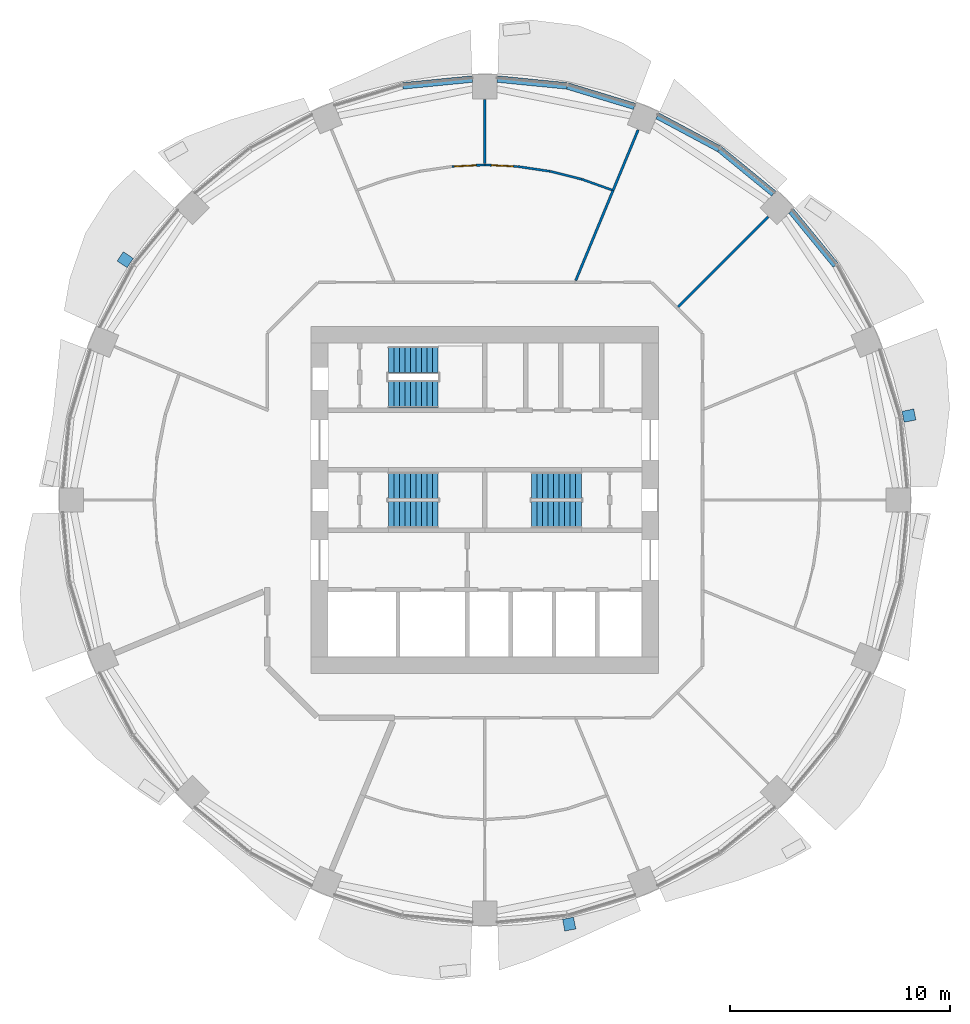
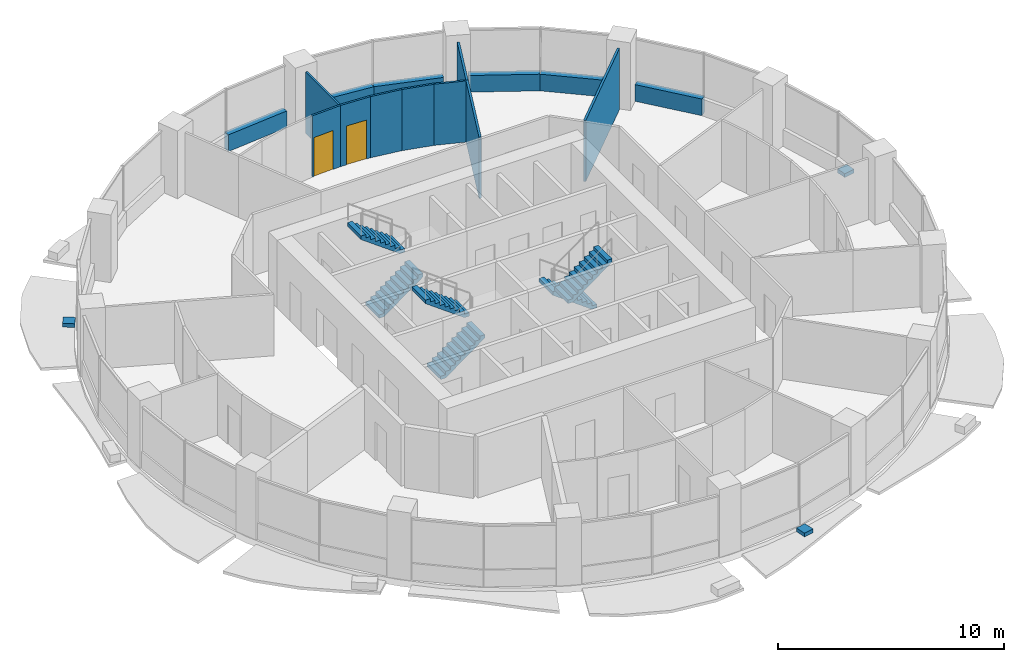
# One storey, part 10 of 14: 15 walls, 6 stair flights, 3 discrete accessories, 2 doors, 2 openings, 3 elements without a shape of their own.
"""IFC4 building model written with IfcOpenShell, lengths in metres."""

from ifc_helpers import new_model, si_unit, direction, frame, frame_2d, origin, place, context, subcontext, project, spatial, polyline, rectangle, outline, extrude, material, layer, layer_set, type_object, element, fill, aggregate, save


model = new_model("IFC4")

# Units and contexts
model_context = context("Model", 3, precision=1e-05, world=origin(), true_north=direction((0.0, 1.0)))
body_context = subcontext(model_context, "Body", "Model", "MODEL_VIEW")
ifc_project = project(units=[si_unit("LENGTHUNIT", "METRE"), si_unit("AREAUNIT", "SQUARE_METRE"), si_unit("VOLUMEUNIT", "CUBIC_METRE"), si_unit("PLANEANGLEUNIT", "RADIAN"), si_unit("MASSUNIT", "GRAM", prefix="KILO")], contexts=[model_context])

# Site, building, storey
site_placement = place(None, origin())
site = spatial("IfcSite", under=ifc_project, at=site_placement, CompositionType="ELEMENT")
building_placement = place(site_placement, origin())
building = spatial("IfcBuilding", under=site, at=building_placement, Name="Polderwave Tower", CompositionType="ELEMENT")
storey_placement = place(building_placement, frame((0.0, 0.0, 91.0)))
storey = spatial("IfcBuildingStorey", under=building, at=storey_placement, Name="L23", CompositionType="ELEMENT", Elevation=91.0)

# Walls
ifc_material_1 = material(Name="Concrete C50/60 (board-marked)", Category="concrete")
ifc_layer_1 = layer(ifc_material_1, 0.300048828125)
ifc_layer_set_1 = layer_set([ifc_layer_1], Name="Concrete spandrel upstand C50/60")
wall_type_1 = type_object("IfcWallType", Name="Concrete spandrel upstand C50/60", PredefinedType="SOLIDWALL", material=ifc_layer_set_1)
for number, where, z_axis, x_axis, name in (
    (1, (15.91259765625, 10.650634765625, 0.0), (0.0, 0.0, 1.0), (-0.634238779555, 0.773137226182, 0.0), "Spandrel L23 2b"),
    (2, (13.103515625, 13.900390625, 0.0), (0.0, 0.0, 1.0), (-0.773137226182, 0.634238779555, 0.0), "Spandrel L23 3a"),
):
    element("IfcWall", number, at=place(storey_placement, frame(where, z_axis=z_axis, x_axis=x_axis)), inside=storey, type_object=wall_type_1, Name=name, PredefinedType="SOLIDWALL", context=body_context, shape_type="SweptSolid", body=[
        extrude(rectangle(XDim=3.172607421875, YDim=0.300048828125, at=frame_2d((1.58642578125, 0.0))), origin(), (0.0, 0.0, 1.0), 0.89990234375),
    ])
wall_1_placement = place(storey_placement, frame((10.625732421875, 15.92919921875, 0.0), z_axis=(0.0, 0.0, 1.0), x_axis=(-0.88188808669, 0.471458802606, 0.0)))
element("IfcWall", 3, at=wall_1_placement, inside=storey, type_object=wall_type_1, Name="Spandrel L23 3b", PredefinedType="SOLIDWALL", context=body_context, shape_type="SweptSolid", body=[
    extrude(rectangle(XDim=3.17236328125, YDim=0.300048828125, at=frame_2d((1.586181640625, 0.0))), origin(), (0.0, 0.0, 1.0), 0.89990234375),
])
wall_2_placement = place(storey_placement, frame((6.78662109375, 17.8564453125, 0.0), z_axis=(0.0, 0.0, 1.0), x_axis=(-0.956927923582, 0.290325591482, 0.0)))
element("IfcWall", 4, at=wall_2_placement, inside=storey, type_object=wall_type_1, Name="Spandrel L23 4a", PredefinedType="SOLIDWALL", context=body_context, shape_type="SweptSolid", body=[
    extrude(rectangle(XDim=3.1728515625, YDim=0.300048828125, at=frame_2d((1.58642578125, 0.0))), origin(), (0.0, 0.0, 1.0), 0.89990234375),
])
for number, where, z_axis, x_axis, name in (
    (5, (3.72119140625, 18.783447265625, 0.0), (0.0, 0.0, 1.0), (-0.995182405567, 0.098040704044, 0.0), "Spandrel L23 4b"),
    (6, (-0.56396484375, 19.094482421875, 0.0), (0.0, 0.0, 1.0), (-0.995182405567, -0.098040704044, 0.0), "Spandrel L23 5a"),
):
    element("IfcWall", number, at=place(storey_placement, frame(where, z_axis=z_axis, x_axis=x_axis)), inside=storey, type_object=wall_type_1, Name=name, PredefinedType="SOLIDWALL", context=body_context, shape_type="SweptSolid", body=[
        extrude(rectangle(XDim=3.172607421875, YDim=0.300048828125, at=frame_2d((1.58642578125, 0.0))), origin(), (0.0, 0.0, 1.0), 0.89990234375),
    ])

# Wall, opening, door
ifc_material_2 = material(Name="Plasterboard on steel studs", Category="steel")
ifc_layer_2 = layer(ifc_material_2, 0.10009765625)
ifc_layer_set_2 = layer_set([ifc_layer_2], Name="Partition 100 mm plasterboard on steel studs")
wall_type_2 = type_object("IfcWallType", Name="Partition 100 mm plasterboard on steel studs", PredefinedType="PARTITIONING", material=ifc_layer_set_2)
wall_3_placement = place(storey_placement, frame((0.0, 15.199951171875, 0.0), z_axis=(0.0, 0.0, 1.0), x_axis=(0.998797711146, -0.049021752402, 0.0)))
wall_3 = element("IfcWall", 7, at=wall_3_placement, inside=storey, type_object=wall_type_2, Name="IN-L23-W033", PredefinedType="PARTITIONING", context=body_context, shape_type="SweptSolid", body=[
    extrude(rectangle(XDim=1.489013671875, YDim=0.10009765625, at=frame_2d((0.74462890625, 0.0))), origin(), (0.0, 0.0, 1.0), 3.300048828125),
])
opening_1_placement = place(wall_3_placement, frame((0.300048828125, 0.0, 0.0)))
opening_1 = element("IfcOpeningElement", 8, at=opening_1_placement, cuts=wall_3, Name="Opening L23-D62", PredefinedType="OPENING", context=body_context, shape_type="SweptSolid", body=[
    extrude(rectangle(XDim=1.0, YDim=2.10009765625, at=frame_2d((0.5, 1.050048828125))), frame((0.0, 0.06005859375, 0.0), z_axis=(0.0, -1.0, 0.0), x_axis=(1.0, 0.0, 0.0)), (0.0, 0.0, 1.0), 0.1201171875),
])
ifc_material_3 = material(Name="Timber veneer door leaf", Category="wood")
door_type = type_object("IfcDoorType", Name="Single door 1000 x 2100", OperationType="NOTDEFINED", PredefinedType="DOOR", material=ifc_material_3)
door_1_placement = place(opening_1_placement, origin())
door_1 = element("IfcDoor", 9, at=door_1_placement, inside=storey, type_object=door_type, Name="Door L23-D62", OperationType="SINGLE_SWING_RIGHT", OverallHeight=2.10009765625, OverallWidth=1.0, PredefinedType="DOOR", context=body_context, shape_type="SweptSolid", body=[
    extrude(rectangle(XDim=1.0, YDim=2.10009765625, at=frame_2d((0.5, 1.050048828125))), frame((0.0, 0.02490234375, 0.0), z_axis=(0.0, -1.0, 0.0), x_axis=(1.0, 0.0, 0.0)), (0.0, 0.0, 1.0), 0.050048828125),
])
fill(opening_1, door_1)

# Walls
wall_4_placement = place(storey_placement, frame((2.962890625, 14.908203125, 0.0), z_axis=(0.0, 0.0, 1.0), x_axis=(-0.989166402168, 0.146798599525, 0.0)))
element("IfcWall", 10, at=wall_4_placement, inside=storey, type_object=wall_type_2, Name="IN-L23-W034", PredefinedType="PARTITIONING", context=body_context, shape_type="SweptSolid", body=[
    extrude(rectangle(XDim=1.48681640625, YDim=0.10009765625, at=frame_2d((0.743408203125, 0.0))), origin(), (0.0, 0.0, 1.0), 3.300048828125),
])
wall_5_placement = place(storey_placement, frame((4.409912109375, 14.546142578125, 0.0), z_axis=(0.0, 0.0, 1.0), x_axis=(-0.970055497102, 0.242883372306, 0.0)))
element("IfcWall", 11, at=wall_5_placement, inside=storey, type_object=wall_type_2, Name="IN-L23-W035", PredefinedType="PARTITIONING", context=body_context, shape_type="SweptSolid", body=[
    extrude(rectangle(XDim=1.486572265625, YDim=0.10009765625, at=frame_2d((0.7431640625, 0.0))), origin(), (0.0, 0.0, 1.0), 3.300048828125),
])
wall_6_placement = place(storey_placement, frame((5.7626953125, 14.0625, 0.0), z_axis=(0.0, 0.0, 1.0), x_axis=(-0.941587499657, 0.33676843749, 0.0)))
element("IfcWall", 12, at=wall_6_placement, inside=storey, type_object=wall_type_2, Name="IN-L23-W036", PredefinedType="PARTITIONING", context=body_context, shape_type="SweptSolid", body=[
    extrude(rectangle(XDim=1.431884765625, YDim=0.10009765625, at=frame_2d((0.7158203125, 0.0))), origin(), (0.0, 0.0, 1.0), 3.300048828125),
])
wall_7_placement = place(storey_placement, frame((0.0, 15.25244140625, 0.0), z_axis=(0.0, 0.0, 1.0), x_axis=(0.0, 1.0, 0.0)))
element("IfcWall", 13, at=wall_7_placement, inside=storey, type_object=wall_type_2, Name="IN-L23-W037", PredefinedType="PARTITIONING", context=body_context, shape_type="SweptSolid", body=[
    extrude(rectangle(XDim=2.91748046875, YDim=0.10009765625, at=frame_2d((1.458740234375, 0.0))), origin(), (0.0, 0.0, 1.0), 3.300048828125),
])

# Wall, opening, door
wall_8_placement = place(storey_placement, frame((-1.4873046875, 15.126953125, 0.0), z_axis=(0.0, 0.0, 1.0), x_axis=(0.998797711146, 0.049021752402, 0.0)))
wall_8 = element("IfcWall", 14, at=wall_8_placement, inside=storey, type_object=wall_type_2, Name="IN-L23-W041", PredefinedType="PARTITIONING", context=body_context, shape_type="SweptSolid", body=[
    extrude(rectangle(XDim=1.489013671875, YDim=0.10009765625, at=frame_2d((0.74462890625, 0.0))), origin(), (0.0, 0.0, 1.0), 3.300048828125),
])
opening_2_placement = place(wall_8_placement, frame((0.10009765625, 0.0, 0.0)))
opening_2 = element("IfcOpeningElement", 15, at=opening_2_placement, cuts=wall_8, Name="Opening L23-D63", PredefinedType="OPENING", context=body_context, shape_type="SweptSolid", body=[
    extrude(rectangle(XDim=1.0, YDim=2.10009765625, at=frame_2d((0.5, 1.050048828125))), frame((0.0, 0.06005859375, 0.0), z_axis=(0.0, -1.0, 0.0), x_axis=(1.0, 0.0, 0.0)), (0.0, 0.0, 1.0), 0.1201171875),
])
door_2_placement = place(opening_2_placement, origin())
door_2 = element("IfcDoor", 16, at=door_2_placement, inside=storey, type_object=door_type, Name="Door L23-D63", OperationType="SINGLE_SWING_LEFT", OverallHeight=2.10009765625, OverallWidth=1.0, PredefinedType="DOOR", context=body_context, shape_type="SweptSolid", body=[
    extrude(rectangle(XDim=1.0, YDim=2.10009765625, at=frame_2d((0.5, 1.050048828125))), frame((0.0, 0.02490234375, 0.0), z_axis=(0.0, -1.0, 0.0), x_axis=(1.0, 0.0, 0.0)), (0.0, 0.0, 1.0), 0.050048828125),
])
fill(opening_2, door_2)

# Walls
ifc_material_4 = material(Name="Acoustic double plasterboard on steel studs", Category="steel")
ifc_layer_3 = layer(ifc_material_4, 0.110107421875)
ifc_layer_set_3 = layer_set([ifc_layer_3], Name="Partition 110 mm acoustic double board")
wall_type_3 = type_object("IfcWallType", Name="Partition 110 mm acoustic double board", PredefinedType="PARTITIONING", material=ifc_layer_set_3)
wall_9_placement = place(storey_placement, frame((12.84814453125, 12.84814453125, 0.0), z_axis=(0.0, 0.0, 1.0), x_axis=(-0.707106781187, -0.707106781187, 0.0)))
element("IfcWall", 17, at=wall_9_placement, inside=storey, type_object=wall_type_3, Name="IN-L23-W030", PredefinedType="PARTITIONING", context=body_context, shape_type="SweptSolid", body=[
    extrude(rectangle(XDim=5.772216796875, YDim=0.110107421875, at=frame_2d((2.88623046875, 0.0))), origin(), (0.0, 0.0, 1.0), 3.300048828125),
])
wall_10_placement = place(storey_placement, frame((5.81689453125, 14.04296875, 0.0), z_axis=(0.0, 0.0, 1.0), x_axis=(0.382659139036, 0.923889594764, 0.0)))
element("IfcWall", 18, at=wall_10_placement, inside=storey, type_object=wall_type_3, Name="IN-L23-W031", PredefinedType="PARTITIONING", context=body_context, shape_type="SweptSolid", body=[
    extrude(rectangle(XDim=2.969970703125, YDim=0.110107421875, at=frame_2d((1.48486328125, 0.0))), origin(), (0.0, 0.0, 1.0), 3.300048828125),
])
wall_11_placement = place(storey_placement, frame((4.12451171875, 9.95751953125, 0.0), z_axis=(0.0, 0.0, 1.0), x_axis=(0.382709362011, 0.923868791674, 0.0)))
element("IfcWall", 19, at=wall_11_placement, inside=storey, type_object=wall_type_3, Name="IN-L23-W032", PredefinedType="PARTITIONING", context=body_context, shape_type="SweptSolid", body=[
    extrude(rectangle(XDim=4.422119140625, YDim=0.110107421875, at=frame_2d((2.2109375, 0.0))), origin(), (0.0, 0.0, 1.0), 3.300048828125),
])

# Stair, stair flights
ifc_material_5 = material(Name="Concrete C40/50", Category="concrete")
stair_type = type_object("IfcStairType", Name="Exit stair 1200 x 20 risers", PredefinedType="HALF_TURN_STAIR", material=ifc_material_5)
stair_1_placement = place(storey_placement, origin())
stair_1 = element("IfcStair", 20, at=stair_1_placement, inside=storey, type_object=stair_type, Name="L23 Exit stair A", PredefinedType="HALF_TURN_STAIR")
stair_flight_type = type_object("IfcStairFlightType", Name="Stair flight 1200", PredefinedType="STRAIGHT", material=ifc_material_5)
stair_flight_1_placement = place(storey_placement, frame((-4.3740234375, -0.675048828125, 0.0), z_axis=(0.0, 0.0, 1.0), x_axis=(1.0, 0.0, 0.0)))
stair_flight_1 = element("IfcStairFlight", 21, at=stair_flight_1_placement, type_object=stair_flight_type, Name="ST-A flight 1", NumberOfRisers=10, NumberOfTreads=9, PredefinedType="STRAIGHT", RiserHeight=0.1825, TreadLength=0.25, context=body_context, shape_type="SweptSolid", body=[
    extrude(outline(polyline([(0.0, 0.0), (0.0, 0.1826171875), (0.25, 0.1826171875), (0.25, 0.364990234375), (0.5, 0.364990234375), (0.5, 0.547607421875), (0.75, 0.547607421875), (0.75, 0.72998046875), (1.0, 0.72998046875), (1.0, 0.91259765625), (1.25, 0.91259765625), (1.25, 1.094970703125), (1.5, 1.094970703125), (1.5, 1.277587890625), (1.75, 1.277587890625), (1.75, 1.4599609375), (2.0, 1.4599609375), (2.0, 1.642578125), (2.25, 1.642578125), (2.25, 1.824951171875), (2.25, 1.456787109375), (0.254150390625, 0.0), (0.0, 0.0)])), frame((0.0, 0.60009765625, 0.0), z_axis=(0.0, -1.0, 0.0), x_axis=(1.0, 0.0, 0.0)), (0.0, 0.0, 1.0), 1.199951171875),
])
stair_flight_2_placement = place(storey_placement, frame((-2.1240234375, 0.675048828125, 1.824951171875), z_axis=(0.0, 0.0, 1.0), x_axis=(-1.0, 0.0, 0.0)))
stair_flight_2 = element("IfcStairFlight", 22, at=stair_flight_2_placement, type_object=stair_flight_type, Name="ST-A flight 2", NumberOfRisers=10, NumberOfTreads=9, PredefinedType="STRAIGHT", RiserHeight=0.1825, TreadLength=0.25, context=body_context, shape_type="SweptSolid", body=[
    extrude(outline(polyline([(0.0, 0.0), (0.0, 0.1826171875), (0.25, 0.1826171875), (0.25, 0.364990234375), (0.5, 0.364990234375), (0.5, 0.547607421875), (0.75, 0.547607421875), (0.75, 0.72998046875), (1.0, 0.72998046875), (1.0, 0.91259765625), (1.25, 0.91259765625), (1.25, 1.094970703125), (1.5, 1.094970703125), (1.5, 1.277587890625), (1.75, 1.277587890625), (1.75, 1.4599609375), (2.0, 1.4599609375), (2.0, 1.642578125), (2.25, 1.642578125), (2.25, 1.824951171875), (2.25, 1.456787109375), (0.254150390625, 0.0), (0.0, 0.0)])), frame((0.0, 0.60009765625, 0.0), z_axis=(0.0, -1.0, 0.0), x_axis=(1.0, 0.0, 0.0)), (0.0, 0.0, 1.0), 1.199951171875),
])
aggregate(stair_1, [stair_flight_1, stair_flight_2])

stair_2_placement = place(storey_placement, origin())
stair_2 = element("IfcStair", 23, at=stair_2_placement, inside=storey, type_object=stair_type, Name="L23 Exit stair B", PredefinedType="HALF_TURN_STAIR")
stair_flight_3_placement = place(storey_placement, frame((4.3740234375, 0.675048828125, 0.0), z_axis=(0.0, 0.0, 1.0), x_axis=(-1.0, 0.0, 0.0)))
stair_flight_3 = element("IfcStairFlight", 24, at=stair_flight_3_placement, type_object=stair_flight_type, Name="ST-B flight 1", NumberOfRisers=10, NumberOfTreads=9, PredefinedType="STRAIGHT", RiserHeight=0.1825, TreadLength=0.25, context=body_context, shape_type="SweptSolid", body=[
    extrude(outline(polyline([(0.0, 0.0), (0.0, 0.1826171875), (0.25, 0.1826171875), (0.25, 0.364990234375), (0.5, 0.364990234375), (0.5, 0.547607421875), (0.75, 0.547607421875), (0.75, 0.72998046875), (1.0, 0.72998046875), (1.0, 0.91259765625), (1.25, 0.91259765625), (1.25, 1.094970703125), (1.5, 1.094970703125), (1.5, 1.277587890625), (1.75, 1.277587890625), (1.75, 1.4599609375), (2.0, 1.4599609375), (2.0, 1.642578125), (2.25, 1.642578125), (2.25, 1.824951171875), (2.25, 1.456787109375), (0.254150390625, 0.0), (0.0, 0.0)])), frame((0.0, 0.60009765625, 0.0), z_axis=(0.0, -1.0, 0.0), x_axis=(1.0, 0.0, 0.0)), (0.0, 0.0, 1.0), 1.199951171875),
])
stair_flight_4_placement = place(storey_placement, frame((2.1240234375, -0.675048828125, 1.824951171875), z_axis=(0.0, 0.0, 1.0), x_axis=(1.0, 0.0, 0.0)))
stair_flight_4 = element("IfcStairFlight", 25, at=stair_flight_4_placement, type_object=stair_flight_type, Name="ST-B flight 2", NumberOfRisers=10, NumberOfTreads=9, PredefinedType="STRAIGHT", RiserHeight=0.1825, TreadLength=0.25, context=body_context, shape_type="SweptSolid", body=[
    extrude(outline(polyline([(0.0, 0.0), (0.0, 0.1826171875), (0.25, 0.1826171875), (0.25, 0.364990234375), (0.5, 0.364990234375), (0.5, 0.547607421875), (0.75, 0.547607421875), (0.75, 0.72998046875), (1.0, 0.72998046875), (1.0, 0.91259765625), (1.25, 0.91259765625), (1.25, 1.094970703125), (1.5, 1.094970703125), (1.5, 1.277587890625), (1.75, 1.277587890625), (1.75, 1.4599609375), (2.0, 1.4599609375), (2.0, 1.642578125), (2.25, 1.642578125), (2.25, 1.824951171875), (2.25, 1.456787109375), (0.254150390625, 0.0), (0.0, 0.0)])), frame((0.0, 0.60009765625, 0.0), z_axis=(0.0, -1.0, 0.0), x_axis=(1.0, 0.0, 0.0)), (0.0, 0.0, 1.0), 1.199951171875),
])
aggregate(stair_2, [stair_flight_3, stair_flight_4])

stair_3_placement = place(storey_placement, origin())
stair_3 = element("IfcStair", 26, at=stair_3_placement, inside=storey, type_object=stair_type, Name="L23 Exit stair C", PredefinedType="HALF_TURN_STAIR")
stair_flight_5_placement = place(storey_placement, frame((-4.3740234375, 4.77392578125, 0.0), z_axis=(0.0, 0.0, 1.0), x_axis=(1.0, 0.0, 0.0)))
stair_flight_5 = element("IfcStairFlight", 27, at=stair_flight_5_placement, type_object=stair_flight_type, Name="ST-C flight 1", NumberOfRisers=10, NumberOfTreads=9, PredefinedType="STRAIGHT", RiserHeight=0.1825, TreadLength=0.25, context=body_context, shape_type="SweptSolid", body=[
    extrude(outline(polyline([(0.0, 0.0), (0.0, 0.1826171875), (0.25, 0.1826171875), (0.25, 0.364990234375), (0.5, 0.364990234375), (0.5, 0.547607421875), (0.75, 0.547607421875), (0.75, 0.72998046875), (1.0, 0.72998046875), (1.0, 0.91259765625), (1.25, 0.91259765625), (1.25, 1.094970703125), (1.5, 1.094970703125), (1.5, 1.277587890625), (1.75, 1.277587890625), (1.75, 1.4599609375), (2.0, 1.4599609375), (2.0, 1.642578125), (2.25, 1.642578125), (2.25, 1.824951171875), (2.25, 1.456787109375), (0.254150390625, 0.0), (0.0, 0.0)])), frame((0.0, 0.60009765625, 0.0), z_axis=(0.0, -1.0, 0.0), x_axis=(1.0, 0.0, 0.0)), (0.0, 0.0, 1.0), 1.199951171875),
])
stair_flight_6_placement = place(storey_placement, frame((-2.1240234375, 6.3740234375, 1.824951171875), z_axis=(0.0, 0.0, 1.0), x_axis=(-1.0, 0.0, 0.0)))
stair_flight_6 = element("IfcStairFlight", 28, at=stair_flight_6_placement, type_object=stair_flight_type, Name="ST-C flight 2", NumberOfRisers=10, NumberOfTreads=9, PredefinedType="STRAIGHT", RiserHeight=0.1825, TreadLength=0.25, context=body_context, shape_type="SweptSolid", body=[
    extrude(outline(polyline([(0.0, 0.0), (0.0, 0.1826171875), (0.25, 0.1826171875), (0.25, 0.364990234375), (0.5, 0.364990234375), (0.5, 0.547607421875), (0.75, 0.547607421875), (0.75, 0.72998046875), (1.0, 0.72998046875), (1.0, 0.91259765625), (1.25, 0.91259765625), (1.25, 1.094970703125), (1.5, 1.094970703125), (1.5, 1.277587890625), (1.75, 1.277587890625), (1.75, 1.4599609375), (2.0, 1.4599609375), (2.0, 1.642578125), (2.25, 1.642578125), (2.25, 1.824951171875), (2.25, 1.456787109375), (0.254150390625, 0.0), (0.0, 0.0)])), frame((0.0, 0.60009765625, 0.0), z_axis=(0.0, -1.0, 0.0), x_axis=(1.0, 0.0, 0.0)), (0.0, 0.0, 1.0), 1.199951171875),
])
aggregate(stair_3, [stair_flight_5, stair_flight_6])

# Discrete accessories
ifc_material_6 = material(Name="Steel S355", Category="steel")
discrete_accessory_type = type_object("IfcDiscreteAccessoryType", Name="Band bracket pad", PredefinedType="BRACKET", material=ifc_material_6)
discrete_accessory_1_placement = place(storey_placement, frame((0.0, 0.0, -0.199951171875)))
element("IfcDiscreteAccessory", 29, at=discrete_accessory_1_placement, inside=storey, type_object=discrete_accessory_type, Name="Band bracket L23 1", PredefinedType="BRACKET", context=body_context, shape_type="SweptSolid", body=[
    extrude(outline(polyline([(19.014892578125, 3.527587890625), (18.978271484375, 3.77490234375), (18.91748046875, 4.017578125), (19.45556640625, 4.1318359375), (19.5556640625, 3.6279296875), (19.014892578125, 3.527587890625)])), origin(), (0.0, 0.0, 1.0), 0.199951171875),
])
discrete_accessory_2_placement = place(storey_placement, frame((0.0, 0.0, -0.199951171875)))
element("IfcDiscreteAccessory", 30, at=discrete_accessory_2_placement, inside=storey, type_object=discrete_accessory_type, Name="Band bracket L23 7", PredefinedType="BRACKET", context=body_context, shape_type="SweptSolid", body=[
    extrude(outline(polyline([(-15.93994140625, 10.951171875), (-16.0888671875, 10.750244140625), (-16.217529296875, 10.535888671875), (-16.6787109375, 10.83544921875), (-16.393310546875, 11.262451171875), (-15.93994140625, 10.951171875)])), origin(), (0.0, 0.0, 1.0), 0.199951171875),
])
discrete_accessory_3_placement = place(storey_placement, frame((0.0, 0.0, -0.199951171875)))
element("IfcDiscreteAccessory", 31, at=discrete_accessory_3_placement, inside=storey, type_object=discrete_accessory_type, Name="Band bracket L23 13", PredefinedType="BRACKET", context=body_context, shape_type="SweptSolid", body=[
    extrude(outline(polyline([(3.527587890625, -19.014892578125), (3.77490234375, -18.978271484375), (4.017578125, -18.91748046875), (4.1318359375, -19.45556640625), (3.6279296875, -19.5556640625), (3.527587890625, -19.014892578125)])), origin(), (0.0, 0.0, 1.0), 0.199951171875),
])

save(model, "model.ifc")
